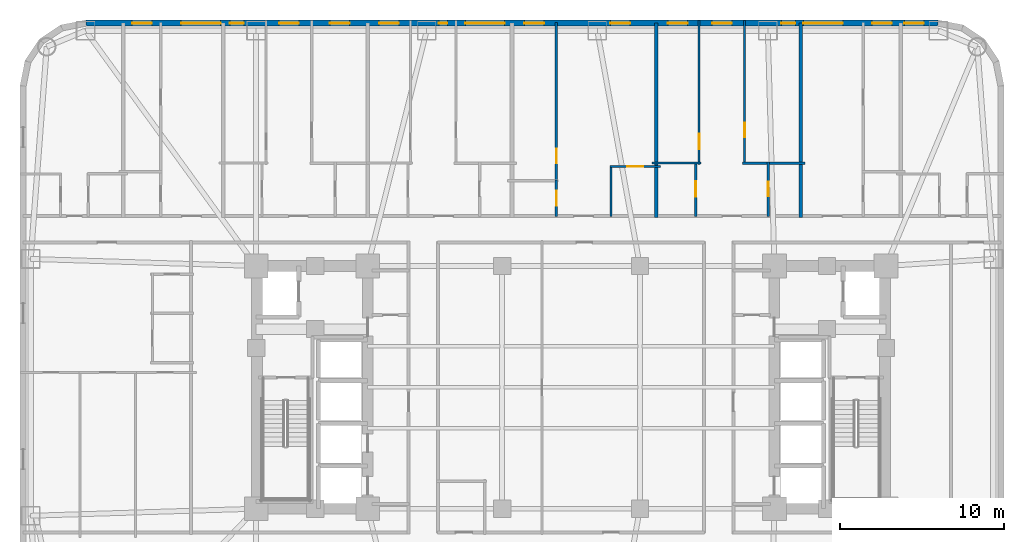
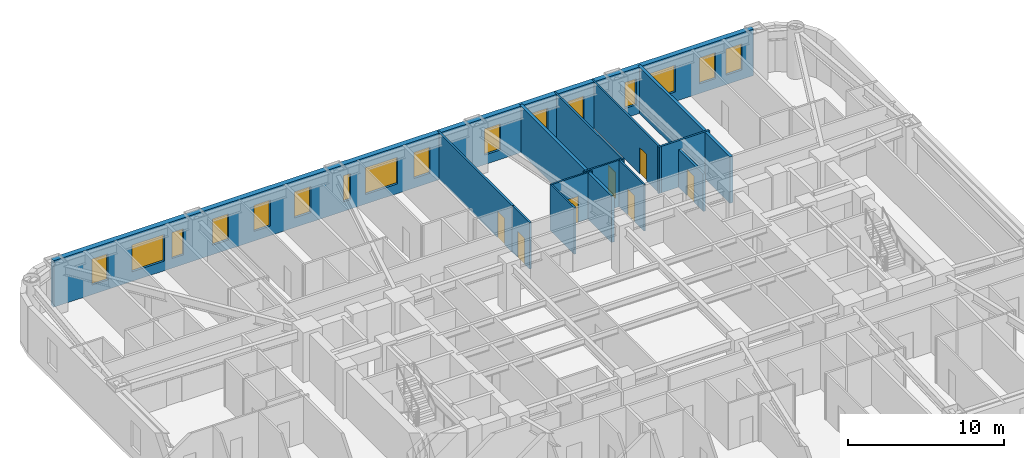
# One storey, part 9 of 12: 16 windows, 13 walls, 7 doors, 23 openings.
"""IFC4 building model written with IfcOpenShell, lengths in metres."""

import ifcopenshell
import ifcopenshell.guid

model = None  # the IFC model being written
_history = None  # IfcOwnerHistory: only IFC2X3 demands one
_inside = {}  # id of a spatial element -> (the spatial element, [elements in it])
_under = {}  # id of a project, library or spatial element -> (it, [spatial elements below it])
_declared = {}  # id of a project -> (the project, [libraries it declares])
_typed = {}  # id of a type object -> (the type object, [elements of that type])
_made_of = {}  # id of a material, layer set ... -> (it, [elements and type objects made of it])


def new_model(schema):
    """Start an empty IFC model of exactly this schema.

    Asked for "IFC4X3", IfcOpenShell would pick the latest addendum, in which some entities
    have other attributes; the version numbers below select the first issue.
    IFC2X3 requires an IfcOwnerHistory on every rooted entity: one is made here for all.
    """
    global model, _history
    if schema == "IFC4X3":
        model = ifcopenshell.file(schema_version=(4, 3, 0, 0))
    else:
        model = ifcopenshell.file(schema=schema)
    _inside.clear()
    _under.clear()
    _declared.clear()
    _typed.clear()
    _made_of.clear()
    _history = None
    if model.schema == "IFC2X3":
        org = make("IfcOrganization", Name="unknown")
        user = make(
            "IfcPersonAndOrganization",
            ThePerson=make("IfcPerson", FamilyName="unknown"),
            TheOrganization=org,
        )
        app = make(
            "IfcApplication",
            ApplicationDeveloper=org,
            Version="unknown",
            ApplicationFullName="unknown",
            ApplicationIdentifier="unknown",
        )
        _history = make(
            "IfcOwnerHistory",
            OwningUser=user,
            OwningApplication=app,
            ChangeAction="ADDED",
            CreationDate=0,
        )
    return model


def make(cls, **values):
    """One entity of the class cls with the attributes given. An attribute that is None is left unset."""
    return model.create_entity(
        cls, **{name: value for name, value in values.items() if value is not None}
    )


def rooted(cls, **values):
    """An entity with a GlobalId (a new one), such as an element, a storey or a relation."""
    return make(cls, GlobalId=ifcopenshell.guid.new(), OwnerHistory=_history, **values)


def si_unit(unit_type, name, prefix=None):
    """IfcSIUnit, for example si_unit("LENGTHUNIT", "METRE", prefix="MILLI")."""
    return make("IfcSIUnit", UnitType=unit_type, Prefix=prefix, Name=name)


def assignment(units):
    """IfcUnitAssignment: the units of a project."""
    return None if units is None else make("IfcUnitAssignment", Units=units)


def point(xyz):
    """IfcCartesianPoint."""
    return None if xyz is None else make("IfcCartesianPoint", Coordinates=xyz)


def direction(xyz):
    """IfcDirection."""
    return None if xyz is None else make("IfcDirection", DirectionRatios=xyz)


def frame(location, z_axis=None, x_axis=None):
    """IfcAxis2Placement3D, a coordinate frame: its origin and axes. An axis left out is left unset."""
    return make(
        "IfcAxis2Placement3D",
        Location=point(location),
        Axis=direction(z_axis),
        RefDirection=direction(x_axis),
    )


def frame_2d(location, x_axis=None):
    """IfcAxis2Placement2D, a coordinate frame in the plane: its origin and x axis."""
    return make(
        "IfcAxis2Placement2D", Location=point(location), RefDirection=direction(x_axis)
    )


def origin():
    """The frame at (0, 0, 0) with its axes left unset."""
    return frame((0.0, 0.0, 0.0))


def place(relative_to, where):
    """IfcLocalPlacement: puts the frame where relative to a parent placement (None: the world)."""
    return make(
        "IfcLocalPlacement", PlacementRelTo=relative_to, RelativePlacement=where
    )


def context(
    kind, dimensions, precision=None, world=None, true_north=None, identifier=None
):
    """IfcGeometricRepresentationContext, for example the 3D "Model" context."""
    return make(
        "IfcGeometricRepresentationContext",
        ContextIdentifier=identifier,
        ContextType=kind,
        CoordinateSpaceDimension=dimensions,
        Precision=precision,
        WorldCoordinateSystem=world,
        TrueNorth=true_north,
    )


def subcontext(parent, identifier, kind, view, scale=None):
    """IfcGeometricRepresentationSubContext, for example "Body" below "Model"."""
    return make(
        "IfcGeometricRepresentationSubContext",
        ContextIdentifier=identifier,
        ContextType=kind,
        ParentContext=parent,
        TargetScale=scale,
        TargetView=view,
    )


def project(units=None, contexts=None):
    """IfcProject with its units and contexts."""
    return rooted(
        "IfcProject",
        Name="project",
        RepresentationContexts=contexts,
        UnitsInContext=assignment(units),
    )


def spatial(cls, under=None, at=None, **own):
    """A site, building, storey or space (cls), placed at a placement, below another one or the project."""
    s = rooted(cls, ObjectPlacement=at, **own)
    if under is not None:
        _under.setdefault(under.id(), (under, []))[1].append(s)
    return s


def profile(cls, at=None, kind="AREA", **sizes):
    """A parametric profile (cls). Its sizes go by their IFC names, for example OverallWidth=200.0."""
    return make(cls, ProfileType=kind, Position=at, **sizes)


def rectangle(**sizes):
    """IfcRectangleProfileDef."""
    return profile("IfcRectangleProfileDef", **sizes)


def extrude(swept, where, along, depth):
    """IfcExtrudedAreaSolid: the profile swept, set in the frame where, extruded along a direction by depth."""
    return make(
        "IfcExtrudedAreaSolid",
        SweptArea=swept,
        Position=where,
        ExtrudedDirection=direction(along),
        Depth=depth,
    )


def shape(context_of_items, identifier, shape_type, items):
    """IfcShapeRepresentation: the items that make up one representation, for example the "Body"."""
    return make(
        "IfcShapeRepresentation",
        ContextOfItems=context_of_items,
        RepresentationIdentifier=identifier,
        RepresentationType=shape_type,
        Items=items,
    )


def material(Name=None, Category=None):
    """IfcMaterial."""
    return make("IfcMaterial", Name=Name, Category=Category)


def layer(
    of_material, thickness, ventilated=None, Name=None, Category=None, Priority=None
):
    """IfcMaterialLayer: one layer of a wall or slab, of a material (None: an air gap)."""
    return make(
        "IfcMaterialLayer",
        Material=of_material,
        LayerThickness=thickness,
        IsVentilated=ventilated,
        Name=Name,
        Category=Category,
        Priority=Priority,
    )


def layer_set(layers, Name=None):
    """IfcMaterialLayerSet."""
    return make("IfcMaterialLayerSet", MaterialLayers=layers, LayerSetName=Name)


def made_of(thing, what):
    """Note that an element or type object is made of a material, layer set ...; save() writes the relation."""
    if what is not None:
        _made_of.setdefault(what.id(), (what, []))[1].append(thing)
    return thing


def type_object(cls, material=None, **own):
    """A type object (cls), such as IfcWallType, which elements share."""
    return made_of(rooted(cls, **own), material)


def element(
    cls,
    number,
    at=None,
    inside=None,
    cuts=None,
    type_object=None,
    material=None,
    context=None,
    identifier="Body",
    shape_type=None,
    held_by="IfcProductDefinitionShape",
    body=None,
    shapes=None,
    **own,
):
    """One element of the class cls, such as IfcWall. Its Tag is "e" and its number.

    at: its placement. inside: the storey or other place that contains it. cuts: it is an
    opening in that element (IfcRelVoidsElement). A single representation is given by context,
    identifier, shape_type and body (its items); several are given by shapes. held_by: the class
    of the entity that holds the representations. save() writes the other relations.
    """
    e = rooted(cls, Tag="e%d" % number, ObjectPlacement=at, **own)
    if body is not None:
        shapes = [shape(context, identifier, shape_type, body)]
    if shapes is not None:
        e.Representation = make(held_by, Representations=shapes)
    if inside is not None:
        _inside.setdefault(inside.id(), (inside, []))[1].append(e)
    if cuts is not None:
        rooted(
            "IfcRelVoidsElement", RelatingBuildingElement=cuts, RelatedOpeningElement=e
        )
    if type_object is not None:
        _typed.setdefault(type_object.id(), (type_object, []))[1].append(e)
    return made_of(e, material)


def fill(opening, filler):
    """IfcRelFillsElement: the door or window that sits in an opening."""
    return rooted(
        "IfcRelFillsElement",
        RelatingOpeningElement=opening,
        RelatedBuildingElement=filler,
    )


def aggregate(whole, parts):
    """IfcRelAggregates: a whole, such as a stair, and the parts it consists of."""
    return rooted("IfcRelAggregates", RelatingObject=whole, RelatedObjects=parts)


def save(model, path):
    """Write the relations noted so far, then the file.

    IfcRelAggregates (storeys below a building ...), IfcRelContainedInSpatialStructure (elements
    in a storey), IfcRelDefinesByType, IfcRelAssociatesMaterial and IfcRelDeclares: one each for
    every whole, place, type object, material and project.
    """
    for whole, parts in _under.values():
        aggregate(whole, parts)
    for where, things in _inside.values():
        rooted(
            "IfcRelContainedInSpatialStructure",
            RelatedElements=things,
            RelatingStructure=where,
        )
    for kind, things in _typed.values():
        rooted("IfcRelDefinesByType", RelatedObjects=things, RelatingType=kind)
    for what, things in _made_of.values():
        rooted("IfcRelAssociatesMaterial", RelatedObjects=things, RelatingMaterial=what)
    for by, libraries in _declared.values():
        rooted("IfcRelDeclares", RelatingContext=by, RelatedDefinitions=libraries)
    model.write(path)


model = new_model("IFC4")

# Units and contexts
model_context = context("Model", 3, precision=1e-05, world=origin(), true_north=direction((0.0, 1.0)))
body_context = subcontext(model_context, "Body", "Model", "MODEL_VIEW")
ifc_project = project(units=[si_unit("LENGTHUNIT", "METRE"), si_unit("AREAUNIT", "SQUARE_METRE"), si_unit("VOLUMEUNIT", "CUBIC_METRE"), si_unit("PLANEANGLEUNIT", "RADIAN"), si_unit("MASSUNIT", "GRAM", prefix="KILO")], contexts=[model_context])

# Site, building, storey
site_placement = place(None, origin())
site = spatial("IfcSite", under=ifc_project, at=site_placement, CompositionType="ELEMENT")
building_placement = place(site_placement, origin())
building = spatial("IfcBuilding", under=site, at=building_placement, Name="Voryun Gate Residences", CompositionType="ELEMENT")
storey_placement = place(building_placement, frame((0.0, 0.0, 72.800048828125)))
storey = spatial("IfcBuildingStorey", under=building, at=storey_placement, Name="L17", CompositionType="ELEMENT", Elevation=72.800048828125)

# Wall, openings, windows
ifc_material_1 = material(Name="Granite masonry", Category="masonry")
ifc_layer_1 = layer(ifc_material_1, 0.3798828125, Name="W_EXT_GRANITE_380")
ifc_layer_set_1 = layer_set([ifc_layer_1], Name="Granite masonry")
wall_type_1 = type_object("IfcWallType", Name="W_EXT_GRANITE_380", PredefinedType="ELEMENTEDWALL", material=ifc_layer_set_1)
wall_1_placement = place(storey_placement, frame((-29.581298828125, 22.2099609375, 0.0), z_axis=(0.0, 0.0, 1.0), x_axis=(1.0, 0.0, 0.0)))
wall_1 = element("IfcWall", 1, at=wall_1_placement, inside=storey, type_object=wall_type_1, Name="Exterior wall WEXT-L17-11", PredefinedType="ELEMENTEDWALL", context=body_context, shape_type="SweptSolid", body=[
    extrude(rectangle(XDim=51.962646484375, YDim=0.3798828125, at=frame_2d((25.9814453125, 0.0))), origin(), (0.0, 0.0, 1.0), 3.64990234375),
])
opening_1_placement = place(wall_1_placement, frame((5.810302734375, 0.0, 0.75)))
opening_1 = element("IfcOpeningElement", 2, at=opening_1_placement, cuts=wall_1, Name="Opening WN2", PredefinedType="OPENING", context=body_context, shape_type="SweptSolid", body=[
    extrude(rectangle(XDim=2.39990234375, YDim=2.10009765625, at=frame_2d((1.199951171875, 1.050048828125))), frame((0.0, 0.199951171875, 0.0), z_axis=(0.0, -1.0, 0.0), x_axis=(1.0, 0.0, 0.0)), (0.0, 0.0, 1.0), 0.39990234375),
])
opening_2_placement = place(wall_1_placement, frame((23.13134765625, 0.0, 0.75)))
opening_2 = element("IfcOpeningElement", 3, at=opening_2_placement, cuts=wall_1, Name="Opening WN2", PredefinedType="OPENING", context=body_context, shape_type="SweptSolid", body=[
    extrude(rectangle(XDim=2.39990234375, YDim=2.10009765625, at=frame_2d((1.199951171875, 1.050048828125))), frame((0.0, 0.199951171875, 0.0), z_axis=(0.0, -1.0, 0.0), x_axis=(1.0, 0.0, 0.0)), (0.0, 0.0, 1.0), 0.39990234375),
])
opening_3_placement = place(wall_1_placement, frame((43.752197265625, 0.0, 0.75)))
opening_3 = element("IfcOpeningElement", 4, at=opening_3_placement, cuts=wall_1, Name="Opening WN2", PredefinedType="OPENING", context=body_context, shape_type="SweptSolid", body=[
    extrude(rectangle(XDim=2.39990234375, YDim=2.10009765625, at=frame_2d((1.199951171875, 1.050048828125))), frame((0.0, 0.199951171875, 0.0), z_axis=(0.0, -1.0, 0.0), x_axis=(1.0, 0.0, 0.0)), (0.0, 0.0, 1.0), 0.39990234375),
])
opening_4_placement = place(wall_1_placement, frame((2.8193359375, 0.0, 0.75)))
opening_4 = element("IfcOpeningElement", 5, at=opening_4_placement, cuts=wall_1, Name="Opening WN6", PredefinedType="OPENING", context=body_context, shape_type="SweptSolid", body=[
    extrude(rectangle(XDim=1.199951171875, YDim=2.050048828125, at=frame_2d((0.60009765625, 1.02490234375))), frame((0.0, 0.199951171875, 0.0), z_axis=(0.0, -1.0, 0.0), x_axis=(1.0, 0.0, 0.0)), (0.0, 0.0, 1.0), 0.39990234375),
])
opening_5_placement = place(wall_1_placement, frame((11.78125, 0.0, 0.75)))
opening_5 = element("IfcOpeningElement", 6, at=opening_5_placement, cuts=wall_1, Name="Opening WN6", PredefinedType="OPENING", context=body_context, shape_type="SweptSolid", body=[
    extrude(rectangle(XDim=1.199951171875, YDim=2.050048828125, at=frame_2d((0.60009765625, 1.02490234375))), frame((0.0, 0.199951171875, 0.0), z_axis=(0.0, -1.0, 0.0), x_axis=(1.0, 0.0, 0.0)), (0.0, 0.0, 1.0), 0.39990234375),
])
opening_6_placement = place(wall_1_placement, frame((8.78125, 0.0, 0.75)))
opening_6 = element("IfcOpeningElement", 7, at=opening_6_placement, cuts=wall_1, Name="Opening WN9", PredefinedType="OPENING", context=body_context, shape_type="SweptSolid", body=[
    extrude(rectangle(XDim=0.85009765625, YDim=2.050048828125, at=frame_2d((0.425048828125, 1.02490234375))), frame((0.0, 0.199951171875, 0.0), z_axis=(0.0, -1.0, 0.0), x_axis=(1.0, 0.0, 0.0)), (0.0, 0.0, 1.0), 0.39990234375),
])
opening_7_placement = place(wall_1_placement, frame((14.876220703125, 0.0, 0.75)))
opening_7 = element("IfcOpeningElement", 8, at=opening_7_placement, cuts=wall_1, Name="Opening WN6", PredefinedType="OPENING", context=body_context, shape_type="SweptSolid", body=[
    extrude(rectangle(XDim=1.199951171875, YDim=2.050048828125, at=frame_2d((0.60009765625, 1.02490234375))), frame((0.0, 0.199951171875, 0.0), z_axis=(0.0, -1.0, 0.0), x_axis=(1.0, 0.0, 0.0)), (0.0, 0.0, 1.0), 0.39990234375),
])
opening_8_placement = place(wall_1_placement, frame((21.521240234375, 0.0, 0.75)))
opening_8 = element("IfcOpeningElement", 9, at=opening_8_placement, cuts=wall_1, Name="Opening WN10", PredefinedType="OPENING", context=body_context, shape_type="SweptSolid", body=[
    extrude(rectangle(XDim=0.52001953125, YDim=2.050048828125, at=frame_2d((0.260009765625, 1.02490234375))), frame((0.0, 0.199951171875, 0.0), z_axis=(0.0, -1.0, 0.0), x_axis=(1.0, 0.0, 0.0)), (0.0, 0.0, 1.0), 0.39990234375),
])
opening_9_placement = place(wall_1_placement, frame((17.88623046875, 0.0, 0.75)))
opening_9 = element("IfcOpeningElement", 10, at=opening_9_placement, cuts=wall_1, Name="Opening WN6", PredefinedType="OPENING", context=body_context, shape_type="SweptSolid", body=[
    extrude(rectangle(XDim=1.199951171875, YDim=2.050048828125, at=frame_2d((0.60009765625, 1.02490234375))), frame((0.0, 0.199951171875, 0.0), z_axis=(0.0, -1.0, 0.0), x_axis=(1.0, 0.0, 0.0)), (0.0, 0.0, 1.0), 0.39990234375),
])
opening_10_placement = place(wall_1_placement, frame((26.736328125, 0.0, 0.75)))
opening_10 = element("IfcOpeningElement", 11, at=opening_10_placement, cuts=wall_1, Name="Opening WN6", PredefinedType="OPENING", context=body_context, shape_type="SweptSolid", body=[
    extrude(rectangle(XDim=1.199951171875, YDim=2.050048828125, at=frame_2d((0.60009765625, 1.02490234375))), frame((0.0, 0.199951171875, 0.0), z_axis=(0.0, -1.0, 0.0), x_axis=(1.0, 0.0, 0.0)), (0.0, 0.0, 1.0), 0.39990234375),
])
opening_11_placement = place(wall_1_placement, frame((31.976318359375, 0.0, 0.75)))
opening_11 = element("IfcOpeningElement", 12, at=opening_11_placement, cuts=wall_1, Name="Opening WN6", PredefinedType="OPENING", context=body_context, shape_type="SweptSolid", body=[
    extrude(rectangle(XDim=1.199951171875, YDim=2.050048828125, at=frame_2d((0.60009765625, 1.02490234375))), frame((0.0, 0.199951171875, 0.0), z_axis=(0.0, -1.0, 0.0), x_axis=(1.0, 0.0, 0.0)), (0.0, 0.0, 1.0), 0.39990234375),
])
opening_12_placement = place(wall_1_placement, frame((38.181396484375, 0.0, 0.75)))
opening_12 = element("IfcOpeningElement", 13, at=opening_12_placement, cuts=wall_1, Name="Opening WN6", PredefinedType="OPENING", context=body_context, shape_type="SweptSolid", body=[
    extrude(rectangle(XDim=1.199951171875, YDim=2.050048828125, at=frame_2d((0.60009765625, 1.02490234375))), frame((0.0, 0.199951171875, 0.0), z_axis=(0.0, -1.0, 0.0), x_axis=(1.0, 0.0, 0.0)), (0.0, 0.0, 1.0), 0.39990234375),
])
opening_13_placement = place(wall_1_placement, frame((35.486328125, 0.0, 0.75)))
opening_13 = element("IfcOpeningElement", 14, at=opening_13_placement, cuts=wall_1, Name="Opening WN6", PredefinedType="OPENING", context=body_context, shape_type="SweptSolid", body=[
    extrude(rectangle(XDim=1.199951171875, YDim=2.050048828125, at=frame_2d((0.60009765625, 1.02490234375))), frame((0.0, 0.199951171875, 0.0), z_axis=(0.0, -1.0, 0.0), x_axis=(1.0, 0.0, 0.0)), (0.0, 0.0, 1.0), 0.39990234375),
])
opening_14_placement = place(wall_1_placement, frame((42.411376953125, 0.0, 0.75)))
opening_14 = element("IfcOpeningElement", 15, at=opening_14_placement, cuts=wall_1, Name="Opening WN9", PredefinedType="OPENING", context=body_context, shape_type="SweptSolid", body=[
    extrude(rectangle(XDim=0.85009765625, YDim=2.050048828125, at=frame_2d((0.425048828125, 1.02490234375))), frame((0.0, 0.199951171875, 0.0), z_axis=(0.0, -1.0, 0.0), x_axis=(1.0, 0.0, 0.0)), (0.0, 0.0, 1.0), 0.39990234375),
])
opening_15_placement = place(wall_1_placement, frame((47.943359375, 0.0, 0.75)))
opening_15 = element("IfcOpeningElement", 16, at=opening_15_placement, cuts=wall_1, Name="Opening WN6", PredefinedType="OPENING", context=body_context, shape_type="SweptSolid", body=[
    extrude(rectangle(XDim=1.199951171875, YDim=2.050048828125, at=frame_2d((0.60009765625, 1.02490234375))), frame((0.0, 0.199951171875, 0.0), z_axis=(0.0, -1.0, 0.0), x_axis=(1.0, 0.0, 0.0)), (0.0, 0.0, 1.0), 0.39990234375),
])
opening_16_placement = place(wall_1_placement, frame((49.9013671875, 0.0, 0.75)))
opening_16 = element("IfcOpeningElement", 17, at=opening_16_placement, cuts=wall_1, Name="Opening WN6", PredefinedType="OPENING", context=body_context, shape_type="SweptSolid", body=[
    extrude(rectangle(XDim=1.199951171875, YDim=2.050048828125, at=frame_2d((0.60009765625, 1.02490234375))), frame((0.0, 0.199951171875, 0.0), z_axis=(0.0, -1.0, 0.0), x_axis=(1.0, 0.0, 0.0)), (0.0, 0.0, 1.0), 0.39990234375),
])
ifc_material_2 = material(Name="Laminated low-E glass", Category="glass")
window_type_1 = type_object("IfcWindowType", Name="WN_PAGODA_LANCET_520", PartitioningType="SINGLE_PANEL", PredefinedType="WINDOW", material=ifc_material_2)
window_1_placement = place(opening_8_placement, origin())
window_1 = element("IfcWindow", 18, at=window_1_placement, inside=storey, type_object=window_type_1, Name="Window WN-L17-DWFIX-06", OverallHeight=2.050048828125, OverallWidth=0.52001953125, PartitioningType="SINGLE_PANEL", PredefinedType="WINDOW", context=body_context, shape_type="SweptSolid", body=[
    extrude(rectangle(XDim=0.52001953125, YDim=2.050048828125, at=frame_2d((0.260009765625, 1.02490234375))), frame((0.0, 0.030029296875, 0.0), z_axis=(0.0, -1.0, 0.0), x_axis=(1.0, 0.0, 0.0)), (0.0, 0.0, 1.0), 0.06005859375),
])
fill(opening_8, window_1)
ifc_material_3 = material(Name="Laminated low-E glass", Category="glass")
window_type_2 = type_object("IfcWindowType", Name="WN_POD_SLOT_1200", PartitioningType="SINGLE_PANEL", PredefinedType="WINDOW", material=ifc_material_3)
window_2_placement = place(opening_4_placement, origin())
window_2 = element("IfcWindow", 19, at=window_2_placement, inside=storey, type_object=window_type_2, Name="Window WN-L17-DWFIX-02", OverallHeight=2.050048828125, OverallWidth=1.199951171875, PartitioningType="SINGLE_PANEL", PredefinedType="WINDOW", context=body_context, shape_type="SweptSolid", body=[
    extrude(rectangle(XDim=1.199951171875, YDim=2.050048828125, at=frame_2d((0.60009765625, 1.02490234375))), frame((0.0, 0.030029296875, 0.0), z_axis=(0.0, -1.0, 0.0), x_axis=(1.0, 0.0, 0.0)), (0.0, 0.0, 1.0), 0.06005859375),
])
fill(opening_4, window_2)
window_3_placement = place(opening_5_placement, origin())
window_3 = element("IfcWindow", 20, at=window_3_placement, inside=storey, type_object=window_type_2, Name="Window WN-L17-DWFIX-03", OverallHeight=2.050048828125, OverallWidth=1.199951171875, PartitioningType="SINGLE_PANEL", PredefinedType="WINDOW", context=body_context, shape_type="SweptSolid", body=[
    extrude(rectangle(XDim=1.199951171875, YDim=2.050048828125, at=frame_2d((0.60009765625, 1.02490234375))), frame((0.0, 0.030029296875, 0.0), z_axis=(0.0, -1.0, 0.0), x_axis=(1.0, 0.0, 0.0)), (0.0, 0.0, 1.0), 0.06005859375),
])
fill(opening_5, window_3)
window_4_placement = place(opening_7_placement, origin())
window_4 = element("IfcWindow", 21, at=window_4_placement, inside=storey, type_object=window_type_2, Name="Window WN-L17-DWFIX-05", OverallHeight=2.050048828125, OverallWidth=1.199951171875, PartitioningType="SINGLE_PANEL", PredefinedType="WINDOW", context=body_context, shape_type="SweptSolid", body=[
    extrude(rectangle(XDim=1.199951171875, YDim=2.050048828125, at=frame_2d((0.60009765625, 1.02490234375))), frame((0.0, 0.030029296875, 0.0), z_axis=(0.0, -1.0, 0.0), x_axis=(1.0, 0.0, 0.0)), (0.0, 0.0, 1.0), 0.06005859375),
])
fill(opening_7, window_4)
window_5_placement = place(opening_9_placement, origin())
window_5 = element("IfcWindow", 22, at=window_5_placement, inside=storey, type_object=window_type_2, Name="Window WN-L17-DWFIX-07", OverallHeight=2.050048828125, OverallWidth=1.199951171875, PartitioningType="SINGLE_PANEL", PredefinedType="WINDOW", context=body_context, shape_type="SweptSolid", body=[
    extrude(rectangle(XDim=1.199951171875, YDim=2.050048828125, at=frame_2d((0.60009765625, 1.02490234375))), frame((0.0, 0.030029296875, 0.0), z_axis=(0.0, -1.0, 0.0), x_axis=(1.0, 0.0, 0.0)), (0.0, 0.0, 1.0), 0.06005859375),
])
fill(opening_9, window_5)
window_6_placement = place(opening_10_placement, origin())
window_6 = element("IfcWindow", 23, at=window_6_placement, inside=storey, type_object=window_type_2, Name="Window WN-L17-DWFIX-08", OverallHeight=2.050048828125, OverallWidth=1.199951171875, PartitioningType="SINGLE_PANEL", PredefinedType="WINDOW", context=body_context, shape_type="SweptSolid", body=[
    extrude(rectangle(XDim=1.199951171875, YDim=2.050048828125, at=frame_2d((0.60009765625, 1.02490234375))), frame((0.0, 0.030029296875, 0.0), z_axis=(0.0, -1.0, 0.0), x_axis=(1.0, 0.0, 0.0)), (0.0, 0.0, 1.0), 0.06005859375),
])
fill(opening_10, window_6)
window_7_placement = place(opening_11_placement, origin())
window_7 = element("IfcWindow", 24, at=window_7_placement, inside=storey, type_object=window_type_2, Name="Window WN-L17-DWFIX-09", OverallHeight=2.050048828125, OverallWidth=1.199951171875, PartitioningType="SINGLE_PANEL", PredefinedType="WINDOW", context=body_context, shape_type="SweptSolid", body=[
    extrude(rectangle(XDim=1.199951171875, YDim=2.050048828125, at=frame_2d((0.60009765625, 1.02490234375))), frame((0.0, 0.030029296875, 0.0), z_axis=(0.0, -1.0, 0.0), x_axis=(1.0, 0.0, 0.0)), (0.0, 0.0, 1.0), 0.06005859375),
])
fill(opening_11, window_7)
window_8_placement = place(opening_12_placement, origin())
window_8 = element("IfcWindow", 25, at=window_8_placement, inside=storey, type_object=window_type_2, Name="Window WN-L17-DWFIX-10", OverallHeight=2.050048828125, OverallWidth=1.199951171875, PartitioningType="SINGLE_PANEL", PredefinedType="WINDOW", context=body_context, shape_type="SweptSolid", body=[
    extrude(rectangle(XDim=1.199951171875, YDim=2.050048828125, at=frame_2d((0.60009765625, 1.02490234375))), frame((0.0, 0.030029296875, 0.0), z_axis=(0.0, -1.0, 0.0), x_axis=(1.0, 0.0, 0.0)), (0.0, 0.0, 1.0), 0.06005859375),
])
fill(opening_12, window_8)
window_9_placement = place(opening_13_placement, origin())
window_9 = element("IfcWindow", 26, at=window_9_placement, inside=storey, type_object=window_type_2, Name="Window WN-L17-DWFIX-11", OverallHeight=2.050048828125, OverallWidth=1.199951171875, PartitioningType="SINGLE_PANEL", PredefinedType="WINDOW", context=body_context, shape_type="SweptSolid", body=[
    extrude(rectangle(XDim=1.199951171875, YDim=2.050048828125, at=frame_2d((0.60009765625, 1.02490234375))), frame((0.0, 0.030029296875, 0.0), z_axis=(0.0, -1.0, 0.0), x_axis=(1.0, 0.0, 0.0)), (0.0, 0.0, 1.0), 0.06005859375),
])
fill(opening_13, window_9)
window_10_placement = place(opening_15_placement, origin())
window_10 = element("IfcWindow", 27, at=window_10_placement, inside=storey, type_object=window_type_2, Name="Window WN-L17-DWFIX-13", OverallHeight=2.050048828125, OverallWidth=1.199951171875, PartitioningType="SINGLE_PANEL", PredefinedType="WINDOW", context=body_context, shape_type="SweptSolid", body=[
    extrude(rectangle(XDim=1.199951171875, YDim=2.050048828125, at=frame_2d((0.60009765625, 1.02490234375))), frame((0.0, 0.030029296875, 0.0), z_axis=(0.0, -1.0, 0.0), x_axis=(1.0, 0.0, 0.0)), (0.0, 0.0, 1.0), 0.06005859375),
])
fill(opening_15, window_10)
window_11_placement = place(opening_16_placement, origin())
window_11 = element("IfcWindow", 28, at=window_11_placement, inside=storey, type_object=window_type_2, Name="Window WN-L17-DWFIX-14", OverallHeight=2.050048828125, OverallWidth=1.199951171875, PartitioningType="SINGLE_PANEL", PredefinedType="WINDOW", context=body_context, shape_type="SweptSolid", body=[
    extrude(rectangle(XDim=1.199951171875, YDim=2.050048828125, at=frame_2d((0.60009765625, 1.02490234375))), frame((0.0, 0.030029296875, 0.0), z_axis=(0.0, -1.0, 0.0), x_axis=(1.0, 0.0, 0.0)), (0.0, 0.0, 1.0), 0.06005859375),
])
fill(opening_16, window_11)
ifc_material_4 = material(Name="Laminated low-E glass", Category="glass")
window_type_3 = type_object("IfcWindowType", Name="WN_RES_CASEMENT_850", PartitioningType="SINGLE_PANEL", PredefinedType="WINDOW", material=ifc_material_4)
window_12_placement = place(opening_6_placement, origin())
window_12 = element("IfcWindow", 29, at=window_12_placement, inside=storey, type_object=window_type_3, Name="Window WN-L17-DWFIX-04", OverallHeight=2.050048828125, OverallWidth=0.85009765625, PartitioningType="SINGLE_PANEL", PredefinedType="WINDOW", context=body_context, shape_type="SweptSolid", body=[
    extrude(rectangle(XDim=0.85009765625, YDim=2.050048828125, at=frame_2d((0.425048828125, 1.02490234375))), frame((0.0, 0.030029296875, 0.0), z_axis=(0.0, -1.0, 0.0), x_axis=(1.0, 0.0, 0.0)), (0.0, 0.0, 1.0), 0.06005859375),
])
fill(opening_6, window_12)
window_13_placement = place(opening_14_placement, origin())
window_13 = element("IfcWindow", 30, at=window_13_placement, inside=storey, type_object=window_type_3, Name="Window WN-L17-DWFIX-12", OverallHeight=2.050048828125, OverallWidth=0.85009765625, PartitioningType="SINGLE_PANEL", PredefinedType="WINDOW", context=body_context, shape_type="SweptSolid", body=[
    extrude(rectangle(XDim=0.85009765625, YDim=2.050048828125, at=frame_2d((0.425048828125, 1.02490234375))), frame((0.0, 0.030029296875, 0.0), z_axis=(0.0, -1.0, 0.0), x_axis=(1.0, 0.0, 0.0)), (0.0, 0.0, 1.0), 0.06005859375),
])
fill(opening_14, window_13)
ifc_material_5 = material(Name="Laminated low-E glass", Category="glass")
window_type_4 = type_object("IfcWindowType", Name="WN_RES_WIDE_2400", PartitioningType="SINGLE_PANEL", PredefinedType="WINDOW", material=ifc_material_5)
window_14_placement = place(opening_1_placement, origin())
window_14 = element("IfcWindow", 31, at=window_14_placement, inside=storey, type_object=window_type_4, Name="Window WN-WEXT-L17-11-01", OverallHeight=2.10009765625, OverallWidth=2.39990234375, PartitioningType="SINGLE_PANEL", PredefinedType="WINDOW", context=body_context, shape_type="SweptSolid", body=[
    extrude(rectangle(XDim=2.39990234375, YDim=2.10009765625, at=frame_2d((1.199951171875, 1.050048828125))), frame((0.0, 0.030029296875, 0.0), z_axis=(0.0, -1.0, 0.0), x_axis=(1.0, 0.0, 0.0)), (0.0, 0.0, 1.0), 0.06005859375),
])
fill(opening_1, window_14)
window_15_placement = place(opening_2_placement, origin())
window_15 = element("IfcWindow", 32, at=window_15_placement, inside=storey, type_object=window_type_4, Name="Window WN-WEXT-L17-11-02", OverallHeight=2.10009765625, OverallWidth=2.39990234375, PartitioningType="SINGLE_PANEL", PredefinedType="WINDOW", context=body_context, shape_type="SweptSolid", body=[
    extrude(rectangle(XDim=2.39990234375, YDim=2.10009765625, at=frame_2d((1.199951171875, 1.050048828125))), frame((0.0, 0.030029296875, 0.0), z_axis=(0.0, -1.0, 0.0), x_axis=(1.0, 0.0, 0.0)), (0.0, 0.0, 1.0), 0.06005859375),
])
fill(opening_2, window_15)
window_16_placement = place(opening_3_placement, origin())
window_16 = element("IfcWindow", 33, at=window_16_placement, inside=storey, type_object=window_type_4, Name="Window WN-WEXT-L17-11-03", OverallHeight=2.10009765625, OverallWidth=2.39990234375, PartitioningType="SINGLE_PANEL", PredefinedType="WINDOW", context=body_context, shape_type="SweptSolid", body=[
    extrude(rectangle(XDim=2.39990234375, YDim=2.10009765625, at=frame_2d((1.199951171875, 1.050048828125))), frame((0.0, 0.030029296875, 0.0), z_axis=(0.0, -1.0, 0.0), x_axis=(1.0, 0.0, 0.0)), (0.0, 0.0, 1.0), 0.06005859375),
])
fill(opening_3, window_16)

# Walls
ifc_material_6 = material(Name="Concrete C40/50", Category="concrete")
ifc_layer_2 = layer(ifc_material_6, 0.219970703125, Name="W_PARTY_ACOUSTIC_220")
ifc_layer_set_2 = layer_set([ifc_layer_2], Name="Concrete C40/50")
wall_type_2 = type_object("IfcWallType", Name="W_PARTY_ACOUSTIC_220", PredefinedType="PARTITIONING", material=ifc_layer_set_2)
for number, where, z_axis, x_axis, name in (
    (34, (5.199951171875, 10.3701171875, 0.0), (0.0, 0.0, 1.0), (0.0, 1.0, 0.0), "Partition wall WP-L17-NPTY-5"),
    (35, (14.0, 10.3701171875, 0.0), (0.0, 0.0, 1.0), (0.0, 1.0, 0.0), "Partition wall WP-L17-NPTY-6"),
):
    element("IfcWall", number, at=place(storey_placement, frame(where, z_axis=z_axis, x_axis=x_axis)), inside=storey, type_object=wall_type_2, Name=name, PredefinedType="PARTITIONING", context=body_context, shape_type="SweptSolid", body=[
        extrude(rectangle(XDim=11.83984375, YDim=0.219970703125, at=frame_2d((5.919921875, 0.0))), origin(), (0.0, 0.0, 1.0), 3.64990234375),
    ])

# Wall, opening, door
ifc_material_7 = material(Name="Gypsum acoustic partition")
ifc_layer_3 = layer(ifc_material_7, 0.125, Name="W_UNIT_PART_125")
ifc_layer_set_3 = layer_set([ifc_layer_3], Name="Gypsum acoustic partition")
wall_type_3 = type_object("IfcWallType", Name="W_UNIT_PART_125", PredefinedType="PARTITIONING", material=ifc_layer_set_3)
wall_2_placement = place(storey_placement, frame((2.365966796875, 13.469970703125, 0.0), z_axis=(0.0, 0.0, 1.0), x_axis=(1.0, 0.0, 0.0)))
wall_2 = element("IfcWall", 36, at=wall_2_placement, inside=storey, type_object=wall_type_3, Name="Partition wall WP-L17-N5-KHY", PredefinedType="PARTITIONING", context=body_context, shape_type="SweptSolid", body=[
    extrude(rectangle(XDim=3.093994140625, YDim=0.125, at=frame_2d((1.546875, 0.0))), origin(), (0.0, 0.0, 1.0), 3.64990234375),
])
opening_17_placement = place(wall_2_placement, frame((1.072021484375, 0.0, 0.0)))
opening_17 = element("IfcOpeningElement", 37, at=opening_17_placement, cuts=wall_2, Name="Opening D-INT-1", PredefinedType="OPENING", context=body_context, shape_type="SweptSolid", body=[
    extrude(rectangle(XDim=0.949951171875, YDim=2.050048828125, at=frame_2d((0.47509765625, 1.02490234375))), frame((0.0, 0.072509765625, 0.0), z_axis=(0.0, -1.0, 0.0), x_axis=(1.0, 0.0, 0.0)), (0.0, 0.0, 1.0), 0.14501953125),
])
ifc_material_8 = material(Name="Architectural oak veneer")
door_type_1 = type_object("IfcDoorType", Name="DR_INT_ROOM_950", OperationType="NOTDEFINED", PredefinedType="DOOR", material=ifc_material_8)
door_1_placement = place(opening_17_placement, origin())
door_1 = element("IfcDoor", 38, at=door_1_placement, inside=storey, type_object=door_type_1, Name="Door DR-L17-N5-DK", OperationType="SINGLE_SWING_LEFT", OverallHeight=2.050048828125, OverallWidth=0.949951171875, PredefinedType="DOOR", context=body_context, shape_type="SweptSolid", body=[
    extrude(rectangle(XDim=0.949951171875, YDim=2.050048828125, at=frame_2d((0.47509765625, 1.02490234375))), frame((0.0, 0.02490234375, 0.0), z_axis=(0.0, -1.0, 0.0), x_axis=(1.0, 0.0, 0.0)), (0.0, 0.0, 1.0), 0.050048828125),
])
fill(opening_17, door_1)

# Wall
wall_3_placement = place(storey_placement, frame((2.426025390625, 10.429931640625, 0.0), z_axis=(0.0, 0.0, 1.0), x_axis=(0.0, 1.0, 0.0)))
element("IfcWall", 39, at=wall_3_placement, inside=storey, type_object=wall_type_3, Name="Partition wall WP-L17-N5-KVX", PredefinedType="PARTITIONING", context=body_context, shape_type="SweptSolid", body=[
    extrude(rectangle(XDim=3.10009765625, YDim=0.125, at=frame_2d((1.550048828125, 0.0))), origin(), (0.0, 0.0, 1.0), 3.64990234375),
])

# Wall, opening, door
wall_4_placement = place(storey_placement, frame((7.81005859375, 13.590087890625, 0.0), z_axis=(0.0, 0.0, 1.0), x_axis=(0.0, 1.0, 0.0)))
wall_4 = element("IfcWall", 40, at=wall_4_placement, inside=storey, type_object=wall_type_3, Name="Partition wall WP-L17-N6-OVL", PredefinedType="PARTITIONING", context=body_context, shape_type="SweptSolid", body=[
    extrude(rectangle(XDim=8.77001953125, YDim=0.125, at=frame_2d((4.385009765625, 0.0))), origin(), (0.0, 0.0, 1.0), 3.64990234375),
])
opening_18_placement = place(wall_4_placement, frame((0.92822265625, 0.0, 0.0)))
opening_18 = element("IfcOpeningElement", 41, at=opening_18_placement, cuts=wall_4, Name="Opening D-INT-1", PredefinedType="OPENING", context=body_context, shape_type="SweptSolid", body=[
    extrude(rectangle(XDim=0.949951171875, YDim=2.050048828125, at=frame_2d((0.47509765625, 1.02490234375))), frame((0.0, 0.072509765625, 0.0), z_axis=(0.0, -1.0, 0.0), x_axis=(1.0, 0.0, 0.0)), (0.0, 0.0, 1.0), 0.14501953125),
])
door_2_placement = place(opening_18_placement, origin())
door_2 = element("IfcDoor", 42, at=door_2_placement, inside=storey, type_object=door_type_1, Name="Door DR-L17-N6-DB2", OperationType="SINGLE_SWING_LEFT", OverallHeight=2.050048828125, OverallWidth=0.949951171875, PredefinedType="DOOR", context=body_context, shape_type="SweptSolid", body=[
    extrude(rectangle(XDim=0.949951171875, YDim=2.050048828125, at=frame_2d((0.47509765625, 1.02490234375))), frame((0.0, 0.02490234375, 0.0), z_axis=(0.0, -1.0, 0.0), x_axis=(1.0, 0.0, 0.0)), (0.0, 0.0, 1.0), 0.050048828125),
])
fill(opening_18, door_2)

wall_5_placement = place(storey_placement, frame((10.590087890625, 13.590087890625, 0.0), z_axis=(0.0, 0.0, 1.0), x_axis=(0.0, 1.0, 0.0)))
wall_5 = element("IfcWall", 43, at=wall_5_placement, inside=storey, type_object=wall_type_3, Name="Partition wall WP-L17-N6-OVR", PredefinedType="PARTITIONING", context=body_context, shape_type="SweptSolid", body=[
    extrude(rectangle(XDim=8.77001953125, YDim=0.125, at=frame_2d((4.385009765625, 0.0))), origin(), (0.0, 0.0, 1.0), 3.64990234375),
])
opening_19_placement = place(wall_5_placement, frame((1.65478515625, 0.0, 0.0)))
opening_19 = element("IfcOpeningElement", 44, at=opening_19_placement, cuts=wall_5, Name="Opening D-INT-2", PredefinedType="OPENING", context=body_context, shape_type="SweptSolid", body=[
    extrude(rectangle(XDim=0.89990234375, YDim=2.050048828125, at=frame_2d((0.449951171875, 1.02490234375))), frame((0.0, 0.072509765625, 0.0), z_axis=(0.0, -1.0, 0.0), x_axis=(1.0, 0.0, 0.0)), (0.0, 0.0, 1.0), 0.14501953125),
])
ifc_material_9 = material(Name="Architectural oak veneer")
door_type_2 = type_object("IfcDoorType", Name="DR_INT_BATH_900", OperationType="NOTDEFINED", PredefinedType="DOOR", material=ifc_material_9)
door_3_placement = place(opening_19_placement, origin())
door_3 = element("IfcDoor", 45, at=door_3_placement, inside=storey, type_object=door_type_2, Name="Door DR-L17-N6-DMB", OperationType="SINGLE_SWING_RIGHT", OverallHeight=2.050048828125, OverallWidth=0.89990234375, PredefinedType="DOOR", context=body_context, shape_type="SweptSolid", body=[
    extrude(rectangle(XDim=0.89990234375, YDim=2.050048828125, at=frame_2d((0.449951171875, 1.02490234375))), frame((0.0, 0.02490234375, 0.0), z_axis=(0.0, -1.0, 0.0), x_axis=(1.0, 0.0, 0.0)), (0.0, 0.0, 1.0), 0.050048828125),
])
fill(opening_19, door_3)

wall_6_placement = place(storey_placement, frame((7.60400390625, 10.429931640625, 0.0), z_axis=(0.0, 0.0, 1.0), x_axis=(0.0, 1.0, 0.0)))
wall_6 = element("IfcWall", 46, at=wall_6_placement, inside=storey, type_object=wall_type_3, Name="Partition wall WP-L17-N6-IVK", PredefinedType="PARTITIONING", context=body_context, shape_type="SweptSolid", body=[
    extrude(rectangle(XDim=3.320068359375, YDim=0.125, at=frame_2d((1.66015625, 0.0))), origin(), (0.0, 0.0, 1.0), 3.64990234375),
])
opening_20_placement = place(wall_6_placement, frame((1.18505859375, 0.0, 0.0)))
opening_20 = element("IfcOpeningElement", 47, at=opening_20_placement, cuts=wall_6, Name="Opening D-INT-1", PredefinedType="OPENING", context=body_context, shape_type="SweptSolid", body=[
    extrude(rectangle(XDim=0.949951171875, YDim=2.050048828125, at=frame_2d((0.47509765625, 1.02490234375))), frame((0.0, 0.072509765625, 0.0), z_axis=(0.0, -1.0, 0.0), x_axis=(1.0, 0.0, 0.0)), (0.0, 0.0, 1.0), 0.14501953125),
])
door_4_placement = place(opening_20_placement, origin())
door_4 = element("IfcDoor", 48, at=door_4_placement, inside=storey, type_object=door_type_1, Name="Door DR-L17-N6-DK", OperationType="SINGLE_SWING_LEFT", OverallHeight=2.050048828125, OverallWidth=0.949951171875, PredefinedType="DOOR", context=body_context, shape_type="SweptSolid", body=[
    extrude(rectangle(XDim=0.949951171875, YDim=2.050048828125, at=frame_2d((0.47509765625, 1.02490234375))), frame((0.0, 0.02490234375, 0.0), z_axis=(0.0, -1.0, 0.0), x_axis=(1.0, 0.0, 0.0)), (0.0, 0.0, 1.0), 0.050048828125),
])
fill(opening_20, door_4)

# Wall
wall_7_placement = place(storey_placement, frame((4.93994140625, 13.669921875, 0.0), z_axis=(0.0, 0.0, 1.0), x_axis=(1.0, 0.0, 0.0)))
element("IfcWall", 49, at=wall_7_placement, inside=storey, type_object=wall_type_3, Name="Partition wall WP-L17-N6-HZK", PredefinedType="PARTITIONING", context=body_context, shape_type="SweptSolid", body=[
    extrude(rectangle(XDim=2.989990234375, YDim=0.125, at=frame_2d((1.4951171875, 0.0))), origin(), (0.0, 0.0, 1.0), 3.64990234375),
])

# Wall, opening, door
ifc_material_10 = material(Name="Gypsum moisture-resistant partition")
ifc_layer_4 = layer(ifc_material_10, 0.14990234375, Name="W_WET_PLUMB_150")
ifc_layer_set_4 = layer_set([ifc_layer_4], Name="Gypsum moisture-resistant partition")
wall_type_4 = type_object("IfcWallType", Name="W_WET_PLUMB_150", PredefinedType="PLUMBINGWALL", material=ifc_layer_set_4)
wall_8_placement = place(storey_placement, frame((-0.889892578125, 10.429931640625, 0.0), z_axis=(0.0, 0.0, 1.0), x_axis=(0.0, 1.0, 0.0)))
wall_8 = element("IfcWall", 50, at=wall_8_placement, inside=storey, type_object=wall_type_4, Name="Partition wall WP-L17-N5-LVX1", PredefinedType="PLUMBINGWALL", context=body_context, shape_type="SweptSolid", body=[
    extrude(rectangle(XDim=2.199951171875, YDim=0.14990234375, at=frame_2d((1.10009765625, 0.0))), origin(), (0.0, 0.0, 1.0), 3.64990234375),
])
opening_21_placement = place(wall_8_placement, frame((0.64990234375, 0.0, 0.0)))
opening_21 = element("IfcOpeningElement", 51, at=opening_21_placement, cuts=wall_8, Name="Opening D-INT-2", PredefinedType="OPENING", context=body_context, shape_type="SweptSolid", body=[
    extrude(rectangle(XDim=0.89990234375, YDim=2.050048828125, at=frame_2d((0.449951171875, 1.02490234375))), frame((0.0, 0.0849609375, 0.0), z_axis=(0.0, -1.0, 0.0), x_axis=(1.0, 0.0, 0.0)), (0.0, 0.0, 1.0), 0.169921875),
])
door_5_placement = place(opening_21_placement, origin())
door_5 = element("IfcDoor", 52, at=door_5_placement, inside=storey, type_object=door_type_2, Name="Door DR-L17-N5-DB", OperationType="SINGLE_SWING_LEFT", OverallHeight=2.050048828125, OverallWidth=0.89990234375, PredefinedType="DOOR", context=body_context, shape_type="SweptSolid", body=[
    extrude(rectangle(XDim=0.89990234375, YDim=2.050048828125, at=frame_2d((0.449951171875, 1.02490234375))), frame((0.0, 0.02490234375, 0.0), z_axis=(0.0, -1.0, 0.0), x_axis=(1.0, 0.0, 0.0)), (0.0, 0.0, 1.0), 0.050048828125),
])
fill(opening_21, door_5)

wall_9_placement = place(storey_placement, frame((-0.889892578125, 12.550048828125, 0.0), z_axis=(0.0, 0.0, 1.0), x_axis=(0.0, 1.0, 0.0)))
wall_9 = element("IfcWall", 53, at=wall_9_placement, inside=storey, type_object=wall_type_4, Name="Partition wall WP-L17-N5-LVX2", PredefinedType="PLUMBINGWALL", context=body_context, shape_type="SweptSolid", body=[
    extrude(rectangle(XDim=9.70751953125, YDim=0.14990234375, at=frame_2d((4.853759765625, 0.0))), origin(), (0.0, 0.0, 1.0), 3.64990234375),
])
opening_22_placement = place(wall_9_placement, frame((1.103271484375, 0.0, 0.0)))
opening_22 = element("IfcOpeningElement", 54, at=opening_22_placement, cuts=wall_9, Name="Opening D-INT-2", PredefinedType="OPENING", context=body_context, shape_type="SweptSolid", body=[
    extrude(rectangle(XDim=0.89990234375, YDim=2.050048828125, at=frame_2d((0.449951171875, 1.02490234375))), frame((0.0, 0.0849609375, 0.0), z_axis=(0.0, -1.0, 0.0), x_axis=(1.0, 0.0, 0.0)), (0.0, 0.0, 1.0), 0.169921875),
])
door_6_placement = place(opening_22_placement, origin())
door_6 = element("IfcDoor", 55, at=door_6_placement, inside=storey, type_object=door_type_2, Name="Door DR-L17-N5-DMB", OperationType="SINGLE_SWING_RIGHT", OverallHeight=2.050048828125, OverallWidth=0.89990234375, PredefinedType="DOOR", context=body_context, shape_type="SweptSolid", body=[
    extrude(rectangle(XDim=0.89990234375, YDim=2.050048828125, at=frame_2d((0.449951171875, 1.02490234375))), frame((0.0, 0.02490234375, 0.0), z_axis=(0.0, -1.0, 0.0), x_axis=(1.0, 0.0, 0.0)), (0.0, 0.0, 1.0), 0.050048828125),
])
fill(opening_22, door_6)

# Wall
wall_10_placement = place(storey_placement, frame((10.469970703125, 13.669921875, 0.0), z_axis=(0.0, 0.0, 1.0), x_axis=(1.0, 0.0, 0.0)))
element("IfcWall", 56, at=wall_10_placement, inside=storey, type_object=wall_type_4, Name="Partition wall WP-L17-N6-HZB", PredefinedType="PLUMBINGWALL", context=body_context, shape_type="SweptSolid", body=[
    extrude(rectangle(XDim=3.7900390625, YDim=0.14990234375, at=frame_2d((1.89501953125, 0.0))), origin(), (0.0, 0.0, 1.0), 3.64990234375),
])

# Wall, opening, door
wall_11_placement = place(storey_placement, frame((12.02001953125, 10.429931640625, 0.0), z_axis=(0.0, 0.0, 1.0), x_axis=(0.0, 1.0, 0.0)))
wall_11 = element("IfcWall", 57, at=wall_11_placement, inside=storey, type_object=wall_type_4, Name="Partition wall WP-L17-N6-IVB", PredefinedType="PLUMBINGWALL", context=body_context, shape_type="SweptSolid", body=[
    extrude(rectangle(XDim=3.320068359375, YDim=0.14990234375, at=frame_2d((1.66015625, 0.0))), origin(), (0.0, 0.0, 1.0), 2.93994140625),
])
opening_23_placement = place(wall_11_placement, frame((1.2099609375, 0.0, 0.0)))
opening_23 = element("IfcOpeningElement", 58, at=opening_23_placement, cuts=wall_11, Name="Opening D-INT-2", PredefinedType="OPENING", context=body_context, shape_type="SweptSolid", body=[
    extrude(rectangle(XDim=0.89990234375, YDim=2.050048828125, at=frame_2d((0.449951171875, 1.02490234375))), frame((0.0, 0.0849609375, 0.0), z_axis=(0.0, -1.0, 0.0), x_axis=(1.0, 0.0, 0.0)), (0.0, 0.0, 1.0), 0.169921875),
])
door_7_placement = place(opening_23_placement, origin())
door_7 = element("IfcDoor", 59, at=door_7_placement, inside=storey, type_object=door_type_2, Name="Door DR-L17-N6-DB", OperationType="SINGLE_SWING_RIGHT", OverallHeight=2.050048828125, OverallWidth=0.89990234375, PredefinedType="DOOR", context=body_context, shape_type="SweptSolid", body=[
    extrude(rectangle(XDim=0.89990234375, YDim=2.050048828125, at=frame_2d((0.449951171875, 1.02490234375))), frame((0.0, 0.02490234375, 0.0), z_axis=(0.0, -1.0, 0.0), x_axis=(1.0, 0.0, 0.0)), (0.0, 0.0, 1.0), 0.050048828125),
])
fill(opening_23, door_7)

save(model, "model.ifc")
